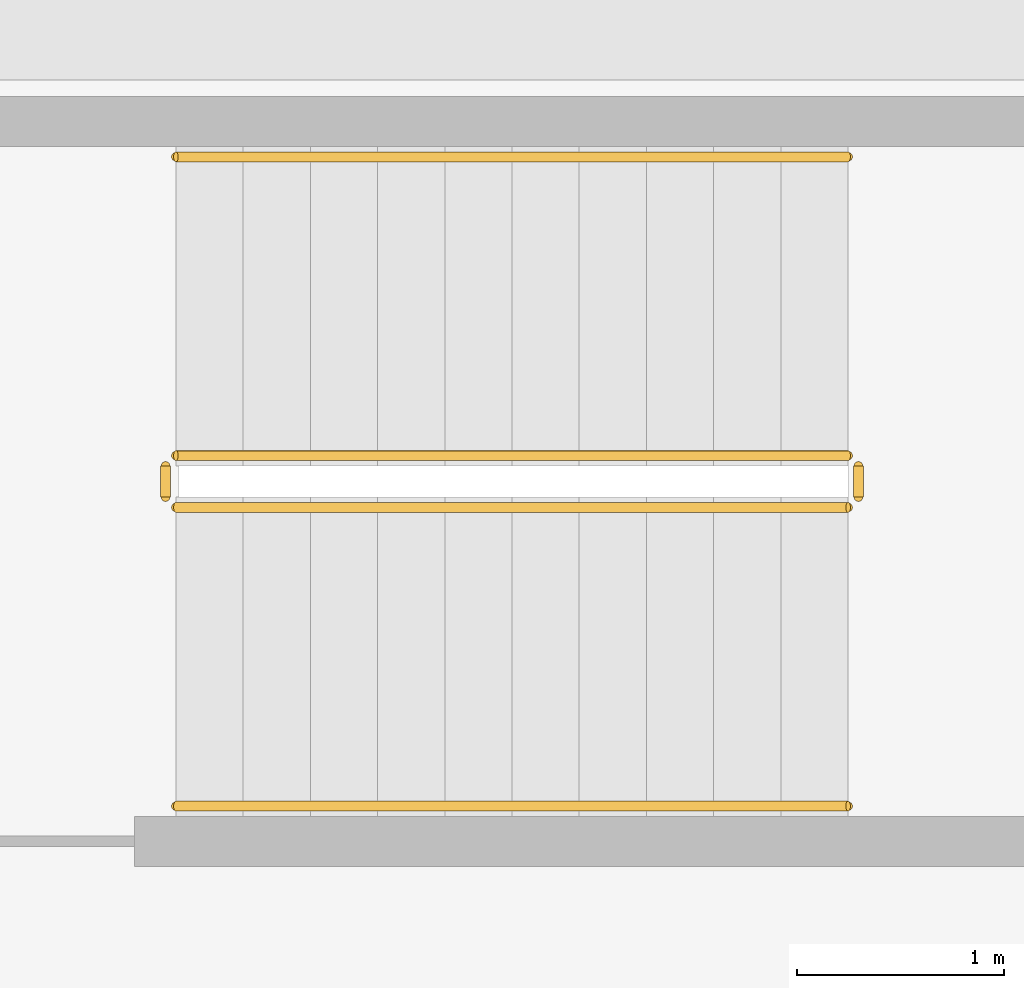
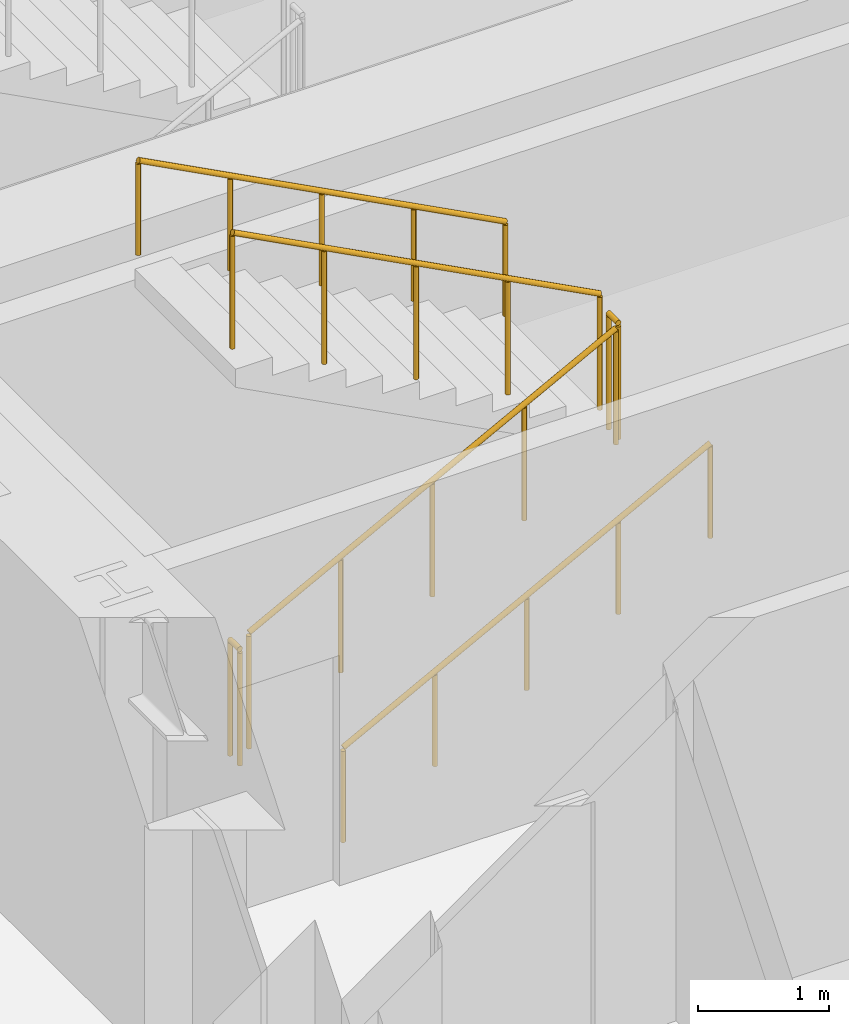
# One storey, part 12 of 15: 6 railings.
"""IFC4 building model written with IfcOpenShell, lengths in metres."""

from ifc_helpers import new_model, si_unit, direction, frame, origin, origin_2d, place, context, subcontext, project, spatial, circle, extrude, material, type_object, element, save


model = new_model("IFC4")

# Units and contexts
model_context = context("Model", 3, precision=1e-05, world=origin(), true_north=direction((0.0, 1.0)))
body_context = subcontext(model_context, "Body", "Model", "MODEL_VIEW")
ifc_project = project(units=[si_unit("LENGTHUNIT", "METRE"), si_unit("AREAUNIT", "SQUARE_METRE"), si_unit("VOLUMEUNIT", "CUBIC_METRE"), si_unit("PLANEANGLEUNIT", "RADIAN"), si_unit("MASSUNIT", "GRAM", prefix="KILO")], contexts=[model_context])

# Site, building, storey
site_placement = place(None, origin())
site = spatial("IfcSite", under=ifc_project, at=site_placement, CompositionType="ELEMENT")
building_placement = place(site_placement, origin())
building = spatial("IfcBuilding", under=site, at=building_placement, Name="Kolvaren Arena Tower", CompositionType="ELEMENT")
storey_placement = place(building_placement, frame((0.0, 0.0, 83.25)))
storey = spatial("IfcBuildingStorey", under=building, at=storey_placement, Name="L18", CompositionType="ELEMENT", Elevation=83.25)

# Railings
ifc_material_1 = material(Name="Painted galvanized steel", Category="steel")
railing_type_1 = type_object("IfcRailingType", Name="GUARD-ST-110", PredefinedType="GUARDRAIL", material=ifc_material_1)
railing_1_placement = place(storey_placement, frame((52.719970703125, 31.639892578125, 0.17041015625)))
element("IfcRailing", 1, at=railing_1_placement, inside=storey, type_object=railing_type_1, Name="L18 ST-E1 stair guard 1", PredefinedType="GUARDRAIL", context=body_context, shape_type="SweptSolid", body=[
    extrude(circle(Radius=0.02392578125, at=origin_2d()), frame((0.0, 0.0, 1.076171875), z_axis=(0.884993431791, 0.0, 0.465603506952), x_axis=(0.0, 1.0, 0.0)), (0.0, 0.0, 1.0), 3.6611328125),
    extrude(circle(Radius=0.02099609375, at=origin_2d()), origin(), (0.0, 0.0, 1.0), 1.052001953125),
    extrude(circle(Radius=0.02099609375, at=origin_2d()), frame((0.81005859375, 0.0, 0.42626953125)), (0.0, 0.0, 1.0), 1.052001953125),
    extrude(circle(Radius=0.02099609375, at=origin_2d()), frame((1.6201171875, 0.0, 0.852294921875)), (0.0, 0.0, 1.0), 1.052001953125),
    extrude(circle(Radius=0.02099609375, at=origin_2d()), frame((2.429931640625, 0.0, 1.2783203125)), (0.0, 0.0, 1.0), 1.052001953125),
    extrude(circle(Radius=0.02099609375, at=origin_2d()), frame((3.239990234375, 0.0, 1.70458984375)), (0.0, 0.0, 1.0), 1.052001953125),
])
railing_2_placement = place(storey_placement, frame((56.010009765625, 31.68994140625, 1.875)))
element("IfcRailing", 2, at=railing_2_placement, inside=storey, type_object=railing_type_1, Name="L18 ST-E1 stair guard 2", PredefinedType="GUARDRAIL", context=body_context, shape_type="SweptSolid", body=[
    extrude(circle(Radius=0.02392578125, at=origin_2d()), frame((0.0, 0.0, 1.076171875), z_axis=(0.0, 1.0, 0.0), x_axis=(-1.0, 0.0, 0.0)), (0.0, 0.0, 1.0), 0.150146484375),
    extrude(circle(Radius=0.02099609375, at=origin_2d()), origin(), (0.0, 0.0, 1.0), 1.052001953125),
    extrude(circle(Radius=0.02099609375, at=origin_2d()), frame((0.0, 0.150146484375, 0.0)), (0.0, 0.0, 1.0), 1.052001953125),
])
railing_3_placement = place(storey_placement, frame((55.9599609375, 31.889892578125, 2.04541015625)))
element("IfcRailing", 3, at=railing_3_placement, inside=storey, type_object=railing_type_1, Name="L18 ST-E1 stair guard 3", PredefinedType="GUARDRAIL", context=body_context, shape_type="SweptSolid", body=[
    extrude(circle(Radius=0.02392578125, at=origin_2d()), frame((0.0, 0.0, 1.076171875), z_axis=(-0.884993431791, 0.0, 0.465603506952), x_axis=(0.0, -1.0, 0.0)), (0.0, 0.0, 1.0), 3.6611328125),
    extrude(circle(Radius=0.02099609375, at=origin_2d()), origin(), (0.0, 0.0, 1.0), 1.052001953125),
    extrude(circle(Radius=0.02099609375, at=origin_2d()), frame((-0.81005859375, 0.0, 0.42626953125)), (0.0, 0.0, 1.0), 1.052001953125),
    extrude(circle(Radius=0.02099609375, at=origin_2d()), frame((-1.6201171875, 0.0, 0.852294921875)), (0.0, 0.0, 1.0), 1.052001953125),
    extrude(circle(Radius=0.02099609375, at=origin_2d()), frame((-2.429931640625, 0.0, 1.2783203125)), (0.0, 0.0, 1.0), 1.052001953125),
    extrude(circle(Radius=0.02099609375, at=origin_2d()), frame((-3.239990234375, 0.0, 1.70458984375)), (0.0, 0.0, 1.0), 1.052001953125),
])
railing_4_placement = place(storey_placement, frame((52.669921875, 31.68994140625, 0.0)))
element("IfcRailing", 4, at=railing_4_placement, inside=storey, type_object=railing_type_1, Name="L18 ST-E1 stair guard 4", PredefinedType="GUARDRAIL", context=body_context, shape_type="SweptSolid", body=[
    extrude(circle(Radius=0.02392578125, at=origin_2d()), frame((0.0, 0.0, 1.076171875), z_axis=(0.0, 1.0, 0.0), x_axis=(-1.0, 0.0, 0.0)), (0.0, 0.0, 1.0), 0.150146484375),
    extrude(circle(Radius=0.02099609375, at=origin_2d()), origin(), (0.0, 0.0, 1.0), 1.052001953125),
    extrude(circle(Radius=0.02099609375, at=origin_2d()), frame((0.0, 0.150146484375, 0.0)), (0.0, 0.0, 1.0), 1.052001953125),
])
ifc_material_2 = material(Name="Brushed stainless steel handrail", Category="steel")
railing_type_2 = type_object("IfcRailingType", Name="HRAIL-900", PredefinedType="HANDRAIL", material=ifc_material_2)
railing_5_placement = place(storey_placement, frame((52.719970703125, 30.199951171875, 0.17041015625)))
element("IfcRailing", 5, at=railing_5_placement, inside=storey, type_object=railing_type_2, Name="L18 ST-E1 stair handrail 1", PredefinedType="HANDRAIL", context=body_context, shape_type="SweptSolid", body=[
    extrude(circle(Radius=0.02392578125, at=origin_2d()), frame((0.0, 0.0, 0.8759765625), z_axis=(0.884993431791, 0.0, 0.465603506952), x_axis=(0.0, 1.0, 0.0)), (0.0, 0.0, 1.0), 3.6611328125),
    extrude(circle(Radius=0.02099609375, at=origin_2d()), origin(), (0.0, 0.0, 1.0), 0.851806640625),
    extrude(circle(Radius=0.02099609375, at=origin_2d()), frame((0.81005859375, 0.0, 0.42626953125)), (0.0, 0.0, 1.0), 0.851806640625),
    extrude(circle(Radius=0.02099609375, at=origin_2d()), frame((1.6201171875, 0.0, 0.852294921875)), (0.0, 0.0, 1.0), 0.851806640625),
    extrude(circle(Radius=0.02099609375, at=origin_2d()), frame((2.429931640625, 0.0, 1.2783203125)), (0.0, 0.0, 1.0), 0.851806640625),
    extrude(circle(Radius=0.02099609375, at=origin_2d()), frame((3.239990234375, 0.0, 1.70458984375)), (0.0, 0.0, 1.0), 0.851806640625),
])
railing_6_placement = place(storey_placement, frame((55.9599609375, 33.330078125, 2.04541015625)))
element("IfcRailing", 6, at=railing_6_placement, inside=storey, type_object=railing_type_2, Name="L18 ST-E1 stair handrail 2", PredefinedType="HANDRAIL", context=body_context, shape_type="SweptSolid", body=[
    extrude(circle(Radius=0.02392578125, at=origin_2d()), frame((0.0, 0.0, 0.8759765625), z_axis=(-0.884993431791, 0.0, 0.465603506952), x_axis=(0.0, -1.0, 0.0)), (0.0, 0.0, 1.0), 3.6611328125),
    extrude(circle(Radius=0.02099609375, at=origin_2d()), origin(), (0.0, 0.0, 1.0), 0.851806640625),
    extrude(circle(Radius=0.02099609375, at=origin_2d()), frame((-0.81005859375, 0.0, 0.42626953125)), (0.0, 0.0, 1.0), 0.851806640625),
    extrude(circle(Radius=0.02099609375, at=origin_2d()), frame((-1.6201171875, 0.0, 0.852294921875)), (0.0, 0.0, 1.0), 0.851806640625),
    extrude(circle(Radius=0.02099609375, at=origin_2d()), frame((-2.429931640625, 0.0, 1.2783203125)), (0.0, 0.0, 1.0), 0.851806640625),
    extrude(circle(Radius=0.02099609375, at=origin_2d()), frame((-3.239990234375, 0.0, 1.70458984375)), (0.0, 0.0, 1.0), 0.851806640625),
])

save(model, "model.ifc")
